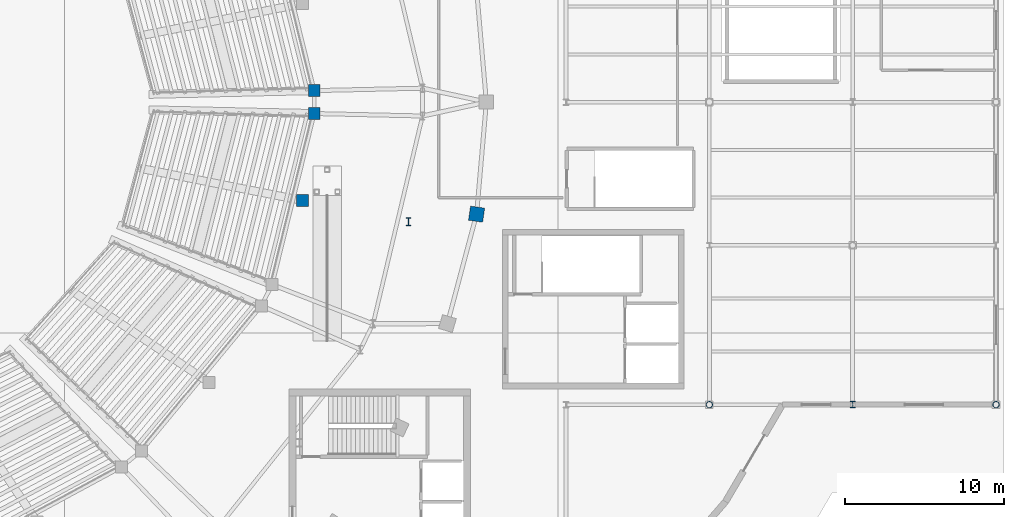
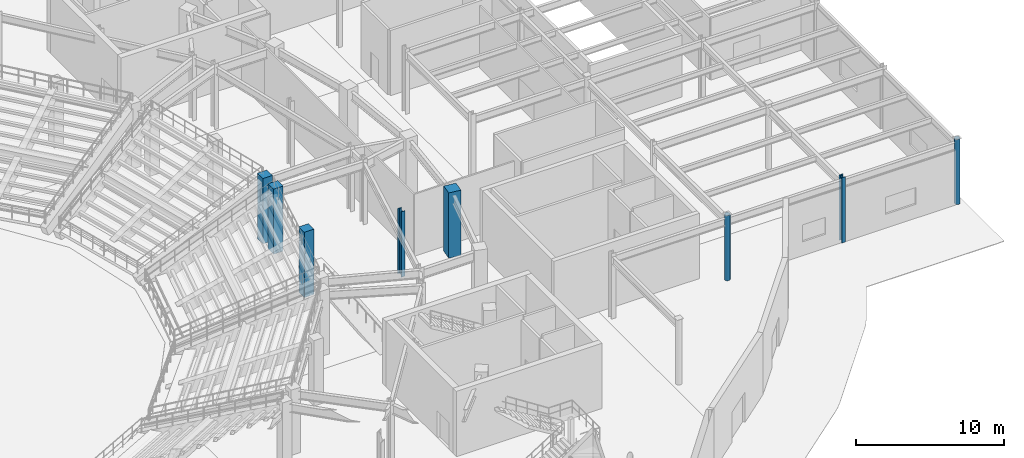
# One storey, part 17 of 79: 8 columns.
"""IFC4 building model written with IfcOpenShell, lengths in metres."""

from ifc_helpers import new_model, si_unit, direction, frame, origin, origin_2d, place, context, subcontext, project, spatial, rectangle, hollow_circle, i_section, extrude, material, material_profile, profile_set, type_object, element, save


model = new_model("IFC4")

# Units and contexts
model_context = context("Model", 3, precision=1e-05, world=origin(), true_north=direction((0.0, 1.0)))
body_context = subcontext(model_context, "Body", "Model", "MODEL_VIEW")
ifc_project = project(units=[si_unit("LENGTHUNIT", "METRE"), si_unit("AREAUNIT", "SQUARE_METRE"), si_unit("VOLUMEUNIT", "CUBIC_METRE"), si_unit("PLANEANGLEUNIT", "RADIAN"), si_unit("MASSUNIT", "GRAM", prefix="KILO")], contexts=[model_context])

# Site, building, storey
site_placement = place(None, origin())
site = spatial("IfcSite", under=ifc_project, at=site_placement, CompositionType="ELEMENT")
building_placement = place(site_placement, origin())
building = spatial("IfcBuilding", under=site, at=building_placement, Name="Glasvene Arena", CompositionType="ELEMENT")
storey_placement = place(building_placement, origin())
storey = spatial("IfcBuildingStorey", under=building, at=storey_placement, Name="L00", CompositionType="ELEMENT", Elevation=0.0)

# Columns
ifc_material_1 = material(Name="Concrete C40/50", Category="concrete")
ifc_material_profile_1 = material_profile(ifc_material_1, rectangle(XDim=0.89990234375, YDim=0.89990234375, at=origin_2d()), Name="RC 900x900")
ifc_profile_set_1 = profile_set([ifc_material_profile_1], Name="Concrete C40/50")
column_type_1 = type_object("IfcColumnType", Name="COL-BOWL-RC900", PredefinedType="COLUMN", material=ifc_profile_set_1)
column_1_placement = place(storey_placement, frame((141.384521484375, 65.96044921875, 0.0), z_axis=(0.0, 0.0, 1.0), x_axis=(0.989999050734, -0.141074021516, 0.0)))
element("IfcColumn", 1, at=column_1_placement, inside=storey, type_object=column_type_1, Name="Bowl ring column R40 L00", PredefinedType="COLUMN", context=body_context, shape_type="SweptSolid", body=[
    extrude(rectangle(XDim=0.89990234375, YDim=0.89990234375, at=origin_2d()), origin(), (0.0, 0.0, 1.0), 5.39990234375),
])
ifc_material_profile_2 = material_profile(ifc_material_1, rectangle(XDim=0.75, YDim=0.75, at=origin_2d()), Name="RC 750x750")
ifc_profile_set_2 = profile_set([ifc_material_profile_2], Name="Concrete C40/50")
column_type_2 = type_object("IfcColumnType", Name="COL-MID-RC750", PredefinedType="COLUMN", material=ifc_profile_set_2)
for number, where, z_axis, x_axis, name in (
    (2, (131.18994140625, 73.71923828125, 0.0), (0.0, 0.0, 1.0), (1.0, 0.0, 0.0), "Mid-bowl fulcrum column L00 01-1"),
    (3, (131.18994140625, 72.28076171875, 0.0), (0.0, 0.0, 1.0), (1.0, 0.0, 0.0), "Mid-bowl fulcrum column L00 16-2"),
    (4, (130.44677734375, 66.815673828125, 0.0), (0.0, 0.0, 1.0), (1.0, 0.0, 0.0), "Mid-sector fulcrum column L00 16"),
):
    element("IfcColumn", number, at=place(storey_placement, frame(where, z_axis=z_axis, x_axis=x_axis)), inside=storey, type_object=column_type_2, Name=name, PredefinedType="COLUMN", context=body_context, shape_type="SweptSolid", body=[
        extrude(rectangle(XDim=0.75, YDim=0.75, at=origin_2d()), origin(), (0.0, 0.0, 1.0), 5.39990234375),
    ])
ifc_material_2 = material(Name="Steel S355J2", Category="steel")
ifc_material_profile_3 = material_profile(ifc_material_2, hollow_circle(Radius=0.203125, WallThickness=0.01611328125, at=origin_2d()), Name="CHS 406.4x16.0")
ifc_profile_set_3 = profile_set([ifc_material_profile_3], Name="Steel S355J2")
column_type_3 = type_object("IfcColumnType", Name="COL-W-CHS406", PredefinedType="COLUMN", material=ifc_profile_set_3)
for number, where, z_axis, x_axis, name in (
    (5, (156.0, 54.0, 0.0), (0.0, 0.0, 1.0), (1.0, 0.0, 0.0), "Grid column 18-7 L00"),
    (6, (174.0, 54.0, 0.0), (0.0, 0.0, 1.0), (1.0, 0.0, 0.0), "Grid column 20-7 L00"),
):
    element("IfcColumn", number, at=place(storey_placement, frame(where, z_axis=z_axis, x_axis=x_axis)), inside=storey, type_object=column_type_3, Name=name, PredefinedType="COLUMN", context=body_context, shape_type="SweptSolid", body=[
        extrude(hollow_circle(Radius=0.203125, WallThickness=0.01611328125, at=origin_2d()), origin(), (0.0, 0.0, 1.0), 5.39990234375),
    ])
ifc_material_profile_4 = material_profile(ifc_material_2, i_section(OverallWidth=0.300048828125, OverallDepth=0.39990234375, WebThickness=0.013427734375, FlangeThickness=0.02392578125, FilletRadius=0.027099609375, at=origin_2d()), Name="HEB 400")
ifc_profile_set_4 = profile_set([ifc_material_profile_4], Name="Steel S355J2")
column_type_4 = type_object("IfcColumnType", Name="COL-W-HEB400", PredefinedType="COLUMN", material=ifc_profile_set_4)
column_2_placement = place(storey_placement, frame((165.0, 54.0, 0.0), z_axis=(0.0, 0.0, 1.0), x_axis=(1.0, 0.0, 0.0)))
element("IfcColumn", 7, at=column_2_placement, inside=storey, type_object=column_type_4, Name="Grid column 19-7 L00", PredefinedType="COLUMN", context=body_context, shape_type="SweptSolid", body=[
    extrude(i_section(OverallWidth=0.300048828125, OverallDepth=0.39990234375, WebThickness=0.013427734375, FlangeThickness=0.02392578125, FilletRadius=0.027099609375, at=origin_2d()), origin(), (0.0, 0.0, 1.0), 5.39990234375),
])
ifc_material_profile_5 = material_profile(ifc_material_2, i_section(OverallWidth=0.300048828125, OverallDepth=0.5, WebThickness=0.014404296875, FlangeThickness=0.028076171875, FilletRadius=0.027099609375, at=origin_2d()), Name="HEB 500")
ifc_profile_set_5 = profile_set([ifc_material_profile_5], Name="Steel S355J2")
column_type_5 = type_object("IfcColumnType", Name="COL-W-HEB500", PredefinedType="COLUMN", material=ifc_profile_set_5)
column_3_placement = place(storey_placement, frame((137.1162109375, 65.489013671875, 0.0), z_axis=(0.0, 0.0, 1.0), x_axis=(1.0, 0.0, 0.0)))
element("IfcColumn", 8, at=column_3_placement, inside=storey, type_object=column_type_5, Name="Mid-sector rear raker column L00 16", PredefinedType="COLUMN", context=body_context, shape_type="SweptSolid", body=[
    extrude(i_section(OverallWidth=0.300048828125, OverallDepth=0.5, WebThickness=0.014404296875, FlangeThickness=0.028076171875, FilletRadius=0.027099609375, at=origin_2d()), origin(), (0.0, 0.0, 1.0), 5.39990234375),
])

save(model, "model.ifc")
